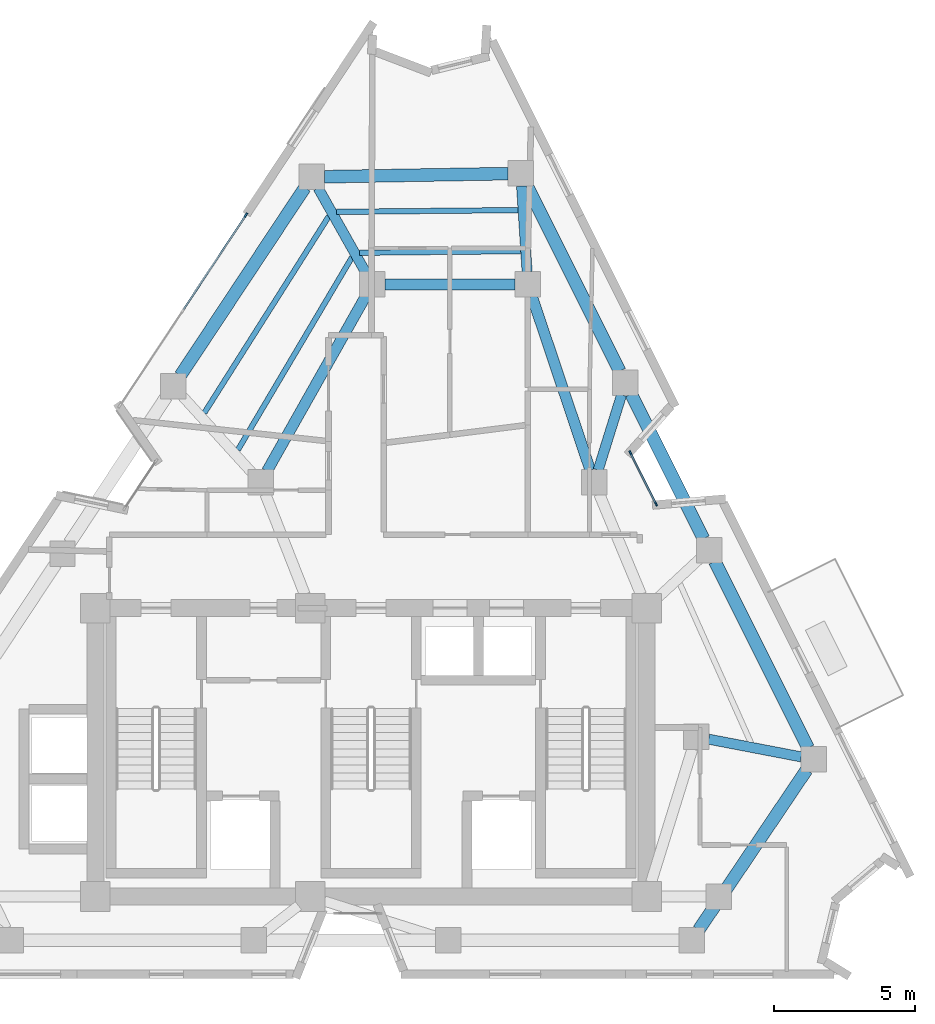
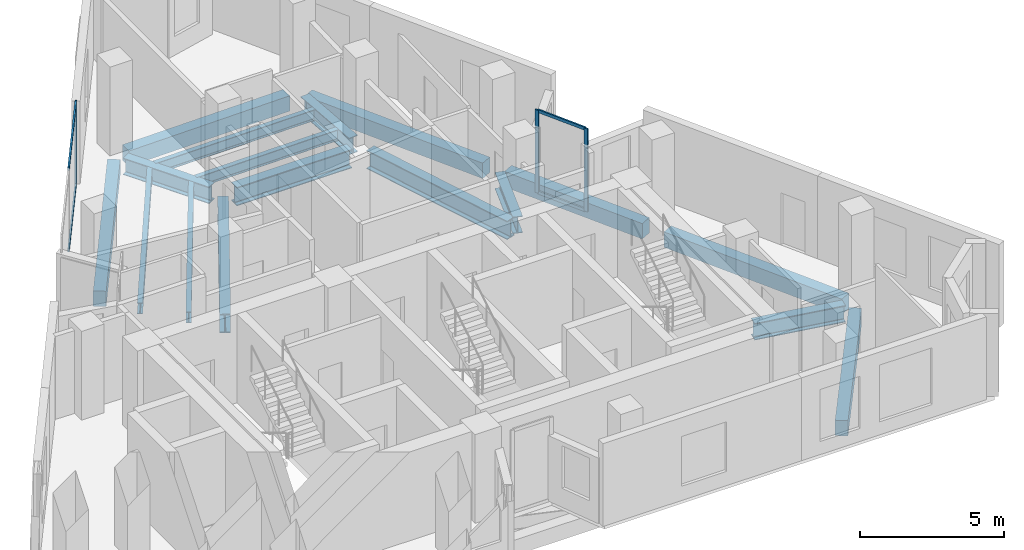
# One storey, part 3 of 9: 17 beams, 7 members, 2 elements without a shape of their own.
"""IFC4 building model written with IfcOpenShell, lengths in metres."""

from ifc_helpers import new_model, si_unit, direction, frame, origin, origin_2d, place, context, subcontext, project, spatial, rectangle, i_section, extrude, material, layer, layer_set, material_profile, profile_set, type_object, element, aggregate, save


model = new_model("IFC4")

# Units and contexts
model_context = context("Model", 3, precision=1e-05, world=origin(), true_north=direction((0.0, 1.0)))
body_context = subcontext(model_context, "Body", "Model", "MODEL_VIEW")
ifc_project = project(units=[si_unit("LENGTHUNIT", "METRE"), si_unit("AREAUNIT", "SQUARE_METRE"), si_unit("VOLUMEUNIT", "CUBIC_METRE"), si_unit("PLANEANGLEUNIT", "RADIAN"), si_unit("MASSUNIT", "GRAM", prefix="KILO")], contexts=[model_context])

# Site, building, storey
site_placement = place(None, origin())
site = spatial("IfcSite", under=ifc_project, at=site_placement, CompositionType="ELEMENT")
building_placement = place(site_placement, origin())
building = spatial("IfcBuilding", under=site, at=building_placement, Name="Almagre Mirador Tower", CompositionType="ELEMENT")
storey_placement = place(building_placement, frame((0.0, 0.0, 259.5)))
storey = spatial("IfcBuildingStorey", under=building, at=storey_placement, Name="L67", CompositionType="ELEMENT", Elevation=259.5)

# Beams
ifc_material_1 = material(Name="Steel ASTM A992 Grade 50", Category="steel")
ifc_material_profile_1 = material_profile(ifc_material_1, i_section(OverallWidth=0.19091796875, OverallDepth=0.4599609375, WebThickness=0.010009765625, FlangeThickness=0.01611328125, FilletRadius=0.01611328125, at=origin_2d()), Name="W18X55")
ifc_profile_set_1 = profile_set([ifc_material_profile_1], Name="Steel ASTM A992 Grade 50")
beam_type_1 = type_object("IfcBeamType", Name="BM-JST-W18X55", PredefinedType="JOIST", material=ifc_profile_set_1)
beam_1_placement = place(storey_placement, frame((42.501708984375, 28.8251953125, -0.47998046875), z_axis=(-0.999953288653, -0.009665428698, 0.0), x_axis=(0.009665428698, -0.999953288653, 0.0)))
element("IfcBeam", 1, at=beam_1_placement, inside=storey, type_object=beam_type_1, Name="L67 secondary floor joist PC08-PC09.1", PredefinedType="JOIST", context=body_context, shape_type="SweptSolid", body=[
    extrude(i_section(OverallWidth=0.19091796875, OverallDepth=0.4599609375, WebThickness=0.010009765625, FlangeThickness=0.01611328125, FilletRadius=0.01611328125, at=origin_2d()), origin(), (0.0, 0.0, 1.0), 6.415771484375),
])
beam_2_placement = place(storey_placement, frame((42.59521484375, 27.373291015625, -0.47998046875), z_axis=(-0.99995095938, -0.009903475888, 0.0), x_axis=(0.009903475888, -0.99995095938, 0.0)))
element("IfcBeam", 2, at=beam_2_placement, inside=storey, type_object=beam_type_1, Name="L67 secondary floor joist PC08-PC09.3", PredefinedType="JOIST", context=body_context, shape_type="SweptSolid", body=[
    extrude(i_section(OverallWidth=0.19091796875, OverallDepth=0.4599609375, WebThickness=0.010009765625, FlangeThickness=0.01611328125, FilletRadius=0.01611328125, at=origin_2d()), origin(), (0.0, 0.0, 1.0), 5.694580078125),
])
beam_3_placement = place(storey_placement, frame((35.811279296875, 28.610107421875, -0.47998046875), z_axis=(-0.534950539194, -0.844883376932, 0.0), x_axis=(0.844883376932, -0.534950539194, 0.0)))
element("IfcBeam", 3, at=beam_3_placement, inside=storey, type_object=beam_type_1, Name="L67 secondary floor joist PC09-PC10.1", PredefinedType="JOIST", context=body_context, shape_type="SweptSolid", body=[
    extrude(i_section(OverallWidth=0.19091796875, OverallDepth=0.4599609375, WebThickness=0.010009765625, FlangeThickness=0.01611328125, FilletRadius=0.01611328125, at=origin_2d()), origin(), (0.0, 0.0, 1.0), 8.2373046875),
])
beam_4_placement = place(storey_placement, frame((36.630615234375, 27.1611328125, -0.47998046875), z_axis=(-0.509571838607, -0.860428115126, 0.0), x_axis=(0.860428115126, -0.509571838607, 0.0)))
element("IfcBeam", 4, at=beam_4_placement, inside=storey, type_object=beam_type_1, Name="L67 secondary floor joist PC09-PC10.3", PredefinedType="JOIST", context=body_context, shape_type="SweptSolid", body=[
    extrude(i_section(OverallWidth=0.19091796875, OverallDepth=0.4599609375, WebThickness=0.010009765625, FlangeThickness=0.01611328125, FilletRadius=0.01611328125, at=origin_2d()), origin(), (0.0, 0.0, 1.0), 7.925048828125),
])
ifc_material_2 = material(Name="Precast concrete C50/60", Category="concrete")
ifc_material_profile_2 = material_profile(ifc_material_2, rectangle(XDim=0.449951171875, YDim=0.64990234375, at=origin_2d()), Name="RC450X650")
ifc_profile_set_2 = profile_set([ifc_material_profile_2], Name="Precast concrete C50/60")
beam_type_2 = type_object("IfcBeamType", Name="BM-SPN-RC450X650", PredefinedType="SPANDREL", material=ifc_profile_set_2)
beam_5_placement = place(storey_placement, frame((48.8916015625, 3.373046875, -0.574951171875), z_axis=(0.559011807763, 0.829159694378, 0.0), x_axis=(-0.829159694378, 0.559011807763, 0.0)))
element("IfcBeam", 5, at=beam_5_placement, inside=storey, type_object=beam_type_2, Name="L67 perimeter spandrel beam PC04-PC05", PredefinedType="SPANDREL", context=body_context, shape_type="SweptSolid", body=[
    extrude(rectangle(XDim=0.449951171875, YDim=0.64990234375, at=origin_2d()), origin(), (0.0, 0.0, 1.0), 6.822265625),
])
beam_6_placement = place(storey_placement, frame((52.755859375, 9.805419921875, -0.574951171875), z_axis=(-0.447226839749, 0.894420568753, 0.0), x_axis=(-0.894420568753, -0.447226839749, 0.0)))
element("IfcBeam", 6, at=beam_6_placement, inside=storey, type_object=beam_type_2, Name="L67 perimeter spandrel beam PC05-PC06", PredefinedType="SPANDREL", context=body_context, shape_type="SweptSolid", body=[
    extrude(rectangle(XDim=0.449951171875, YDim=0.64990234375, at=origin_2d()), origin(), (0.0, 0.0, 1.0), 7.37353515625),
])
beam_7_placement = place(storey_placement, frame((49.055908203125, 17.20556640625, -0.574951171875), z_axis=(-0.447230671809, 0.894418652642, 0.0), x_axis=(-0.894418652642, -0.447230671809, 0.0)))
element("IfcBeam", 7, at=beam_7_placement, inside=storey, type_object=beam_type_2, Name="L67 perimeter spandrel beam PC06-PC07", PredefinedType="SPANDREL", context=body_context, shape_type="SweptSolid", body=[
    extrude(rectangle(XDim=0.449951171875, YDim=0.64990234375, at=origin_2d()), origin(), (0.0, 0.0, 1.0), 5.71875),
])
beam_8_placement = place(storey_placement, frame((46.095703125, 23.12548828125, -0.574951171875), z_axis=(-0.447226839749, 0.894420568753, 0.0), x_axis=(-0.894420568753, -0.447226839749, 0.0)))
element("IfcBeam", 8, at=beam_8_placement, inside=storey, type_object=beam_type_2, Name="L67 perimeter spandrel beam PC07-PC08", PredefinedType="SPANDREL", context=body_context, shape_type="SweptSolid", body=[
    extrude(rectangle(XDim=0.449951171875, YDim=0.64990234375, at=origin_2d()), origin(), (0.0, 0.0, 1.0), 7.37353515625),
])
beam_9_placement = place(storey_placement, frame((42.147216796875, 30.115234375, -0.574951171875), z_axis=(-0.999854670426, -0.017048109218, 0.0), x_axis=(0.017048109218, -0.999854670426, 0.0)))
element("IfcBeam", 9, at=beam_9_placement, inside=storey, type_object=beam_type_2, Name="L67 perimeter spandrel beam PC08-PC09", PredefinedType="SPANDREL", context=body_context, shape_type="SweptSolid", body=[
    extrude(rectangle(XDim=0.449951171875, YDim=0.64990234375, at=origin_2d()), origin(), (0.0, 0.0, 1.0), 6.4873046875),
])
beam_10_placement = place(storey_placement, frame((34.962646484375, 29.621826171875, -0.574951171875), z_axis=(-0.55211200974, -0.833769949507, 0.0), x_axis=(0.833769949507, -0.55211200974, 0.0)))
element("IfcBeam", 10, at=beam_10_placement, inside=storey, type_object=beam_type_2, Name="L67 perimeter spandrel beam PC09-PC10", PredefinedType="SPANDREL", context=body_context, shape_type="SweptSolid", body=[
    extrude(rectangle(XDim=0.449951171875, YDim=0.64990234375, at=origin_2d()), origin(), (0.0, 0.0, 1.0), 7.975341796875),
])
ifc_material_3 = material(Name="Steel ASTM A992 Grade 50", Category="steel")
ifc_material_profile_3 = material_profile(ifc_material_3, i_section(OverallWidth=0.35791015625, OverallDepth=0.7060546875, WebThickness=0.018310546875, FlangeThickness=0.0302734375, FilletRadius=0.02197265625, at=origin_2d()), Name="W27X178")
ifc_profile_set_3 = profile_set([ifc_material_profile_3], Name="Steel ASTM A992 Grade 50")
beam_type_3 = type_object("IfcBeamType", Name="BM-STL-W27X178", PredefinedType="BEAM", material=ifc_profile_set_3)
beam_11_placement = place(storey_placement, frame((52.514892578125, 9.48779296875, -0.60302734375), z_axis=(-0.982116013596, 0.188276753315, 0.0), x_axis=(-0.188276753315, -0.982116013596, 0.0)))
element("IfcBeam", 11, at=beam_11_placement, inside=storey, type_object=beam_type_3, Name="L67 radial floor girder PC05-MC3", PredefinedType="BEAM", context=body_context, shape_type="SweptSolid", body=[
    extrude(i_section(OverallWidth=0.35791015625, OverallDepth=0.7060546875, WebThickness=0.018310546875, FlangeThickness=0.0302734375, FilletRadius=0.02197265625, at=origin_2d()), origin(), (0.0, 0.0, 1.0), 3.33251953125),
])
beam_12_placement = place(storey_placement, frame((46.1630859375, 22.293212890625, -0.60302734375), z_axis=(-0.297288188683, -0.95478779468, 0.0), x_axis=(0.95478779468, -0.297288188683, 0.0)))
element("IfcBeam", 12, at=beam_12_placement, inside=storey, type_object=beam_type_3, Name="L67 radial floor girder PC07-MC5", PredefinedType="BEAM", context=body_context, shape_type="SweptSolid", body=[
    extrude(i_section(OverallWidth=0.35791015625, OverallDepth=0.7060546875, WebThickness=0.018310546875, FlangeThickness=0.0302734375, FilletRadius=0.02197265625, at=origin_2d()), origin(), (0.0, 0.0, 1.0), 2.789794921875),
])
beam_13_placement = place(storey_placement, frame((42.6259765625, 29.673828125, -0.60302734375), z_axis=(0.064358989598, -0.997926811173, 0.0), x_axis=(0.997926811173, 0.064358989598, 0.0)))
element("IfcBeam", 13, at=beam_13_placement, inside=storey, type_object=beam_type_3, Name="L67 radial floor girder PC08-MC6", PredefinedType="BEAM", context=body_context, shape_type="SweptSolid", body=[
    extrude(i_section(OverallWidth=0.35791015625, OverallDepth=0.7060546875, WebThickness=0.018310546875, FlangeThickness=0.0302734375, FilletRadius=0.02197265625, at=origin_2d()), origin(), (0.0, 0.0, 1.0), 3.031005859375),
])
beam_14_placement = place(storey_placement, frame((35.431884765625, 29.60498046875, -0.60302734375), z_axis=(0.490807503583, -0.871268038222, 0.0), x_axis=(0.871268038222, 0.490807503583, 0.0)))
element("IfcBeam", 14, at=beam_14_placement, inside=storey, type_object=beam_type_3, Name="L67 radial floor girder PC09-MC7", PredefinedType="BEAM", context=body_context, shape_type="SweptSolid", body=[
    extrude(i_section(OverallWidth=0.35791015625, OverallDepth=0.7060546875, WebThickness=0.018310546875, FlangeThickness=0.0302734375, FilletRadius=0.02197265625, at=origin_2d()), origin(), (0.0, 0.0, 1.0), 3.4580078125),
])
ifc_material_4 = material(Name="Steel ASTM A992 Grade 50", Category="steel")
ifc_material_profile_4 = material_profile(ifc_material_4, i_section(OverallWidth=0.384033203125, OverallDepth=0.784912109375, WebThickness=0.019775390625, FlangeThickness=0.033447265625, FilletRadius=0.02392578125, at=origin_2d()), Name="W30X211")
ifc_profile_set_4 = profile_set([ifc_material_profile_4], Name="Steel ASTM A992 Grade 50")
beam_type_4 = type_object("IfcBeamType", Name="BM-STL-W30X211", PredefinedType="BEAM", material=ifc_profile_set_4)
beam_15_placement = place(storey_placement, frame((37.800048828125, 26.199951171875, -0.642578125), z_axis=(1.0, 0.0, 0.0), x_axis=(0.0, 1.0, 0.0)))
element("IfcBeam", 15, at=beam_15_placement, inside=storey, type_object=beam_type_4, Name="L67 core tie girder MC7-MC6", PredefinedType="BEAM", context=body_context, shape_type="SweptSolid", body=[
    extrude(i_section(OverallWidth=0.384033203125, OverallDepth=0.784912109375, WebThickness=0.019775390625, FlangeThickness=0.033447265625, FilletRadius=0.02392578125, at=origin_2d()), origin(), (0.0, 0.0, 1.0), 4.599853515625),
])
beam_16_placement = place(storey_placement, frame((42.9931640625, 25.7734375, -0.642578125), z_axis=(0.318282890726, -0.947995781357, 0.0), x_axis=(0.947995781357, 0.318282890726, 0.0)))
element("IfcBeam", 16, at=beam_16_placement, inside=storey, type_object=beam_type_4, Name="L67 core tie girder MC6-MC5", PredefinedType="BEAM", context=body_context, shape_type="SweptSolid", body=[
    extrude(i_section(OverallWidth=0.384033203125, OverallDepth=0.784912109375, WebThickness=0.019775390625, FlangeThickness=0.033447265625, FilletRadius=0.02392578125, at=origin_2d()), origin(), (0.0, 0.0, 1.0), 6.48388671875),
])
beam_17_placement = place(storey_placement, frame((37.12890625, 25.80810546875, -0.642578125), z_axis=(-0.491446261843, -0.870907900825, 0.0), x_axis=(0.870907900825, -0.491446261843, 0.0)))
element("IfcBeam", 17, at=beam_17_placement, inside=storey, type_object=beam_type_4, Name="L67 core tie girder MC7-MC8", PredefinedType="BEAM", context=body_context, shape_type="SweptSolid", body=[
    extrude(i_section(OverallWidth=0.384033203125, OverallDepth=0.784912109375, WebThickness=0.019775390625, FlangeThickness=0.033447265625, FilletRadius=0.02392578125, at=origin_2d()), origin(), (0.0, 0.0, 1.0), 7.1376953125),
])

# Curtain wall, members
ifc_material_5 = material(Name="Black anodized aluminium", Category="aluminium")
ifc_layer_1 = layer(ifc_material_5, 0.169921875)
ifc_layer_set_1 = layer_set([ifc_layer_1], Name="Black anodized aluminium")
curtain_wall_type_1 = type_object("IfcCurtainWallType", Name="CW-CRS-SYS", PredefinedType="NOTDEFINED", material=ifc_layer_set_1)
curtain_wall_1_placement = place(storey_placement, origin())
curtain_wall_1 = element("IfcCurtainWall", 18, at=curtain_wall_1_placement, inside=storey, type_object=curtain_wall_type_1, Name="L67 vertical crease curtain wall 03", PredefinedType="NOTDEFINED")
ifc_material_6 = material(Name="Black anodized aluminium", Category="aluminium")
ifc_material_profile_5 = material_profile(ifc_material_6, rectangle(XDim=0.06005859375, YDim=0.14990234375, at=origin_2d()), Name="CWM60X150")
ifc_profile_set_5 = profile_set([ifc_material_profile_5], Name="Black anodized aluminium")
member_type_1 = type_object("IfcMemberType", Name="MBR-CWM60X150", PredefinedType="MULLION", material=ifc_profile_set_5)
member_1_placement = place(storey_placement, frame((46.473388671875, 20.24609375, 0.0), z_axis=(0.0, 0.0, 1.0), x_axis=(0.894522892596, 0.447022141087, 0.0)))
member_1 = element("IfcMember", 19, at=member_1_placement, type_object=member_type_1, Name="CW-4 mullion 1", PredefinedType="MULLION", context=body_context, shape_type="SweptSolid", body=[
    extrude(rectangle(XDim=0.06005859375, YDim=0.14990234375, at=origin_2d()), origin(), (0.0, 0.0, 1.0), 3.5),
])
member_2_placement = place(storey_placement, frame((47.380615234375, 18.430908203125, 0.0), z_axis=(0.0, 0.0, 1.0), x_axis=(0.894522892596, 0.447022141087, 0.0)))
member_2 = element("IfcMember", 20, at=member_2_placement, type_object=member_type_1, Name="CW-4 mullion 2", PredefinedType="MULLION", context=body_context, shape_type="SweptSolid", body=[
    extrude(rectangle(XDim=0.06005859375, YDim=0.14990234375, at=origin_2d()), origin(), (0.0, 0.0, 1.0), 3.5),
])

# Curtain wall, member
ifc_material_7 = material(Name="Black anodized aluminium", Category="aluminium")
ifc_layer_2 = layer(ifc_material_7, 0.199951171875)
ifc_layer_set_2 = layer_set([ifc_layer_2], Name="Black anodized aluminium")
curtain_wall_type_2 = type_object("IfcCurtainWallType", Name="CW-RES-H-SYS", PredefinedType="NOTDEFINED", material=ifc_layer_set_2)
curtain_wall_2_placement = place(storey_placement, origin())
curtain_wall_2 = element("IfcCurtainWall", 21, at=curtain_wall_2_placement, inside=storey, type_object=curtain_wall_type_2, Name="L67 curtain wall run 02", PredefinedType="NOTDEFINED")
ifc_material_8 = material(Name="Black anodized aluminium", Category="aluminium")
ifc_material_profile_6 = material_profile(ifc_material_8, rectangle(XDim=0.06494140625, YDim=0.179931640625, at=origin_2d()), Name="CWM65X180")
ifc_profile_set_6 = profile_set([ifc_material_profile_6], Name="Black anodized aluminium")
member_type_2 = type_object("IfcMemberType", Name="MBR-CWM65X180", PredefinedType="MULLION", material=ifc_profile_set_6)
member_3_placement = place(storey_placement, frame((32.87744140625, 28.6474609375, 0.0), z_axis=(0.0, 0.0, 1.0), x_axis=(-0.833774696513, 0.552104840999, 0.0)))
member_3 = element("IfcMember", 22, at=member_3_placement, type_object=member_type_2, Name="CW-3 mullion 3", PredefinedType="MULLION", context=body_context, shape_type="SweptSolid", body=[
    extrude(rectangle(XDim=0.06494140625, YDim=0.179931640625, at=origin_2d()), origin(), (0.0, 0.0, 1.0), 3.5),
])

# Member
ifc_material_9 = material(Name="Black anodized aluminium", Category="aluminium")
ifc_material_profile_7 = material_profile(ifc_material_9, rectangle(XDim=0.06005859375, YDim=0.1298828125, at=origin_2d()), Name="CWT60X130")
ifc_profile_set_7 = profile_set([ifc_material_profile_7], Name="Black anodized aluminium")
member_type_3 = type_object("IfcMemberType", Name="MBR-CWT60X130", PredefinedType="USERDEFINED", material=ifc_profile_set_7)
member_4_placement = place(storey_placement, frame((46.48681640625, 20.21923828125, 0.030029296875), z_axis=(0.447064815664, -0.894501565451, 0.0), x_axis=(0.894501565451, 0.447064815664, 0.0)))
member_4 = element("IfcMember", 23, at=member_4_placement, type_object=member_type_3, Name="CW-4 transom 1.1", ObjectType="TRANSOM", PredefinedType="USERDEFINED", context=body_context, shape_type="SweptSolid", body=[
    extrude(rectangle(XDim=0.06005859375, YDim=0.1298828125, at=origin_2d()), origin(), (0.0, 0.0, 1.0), 1.96923828125),
])

member_5_placement = place(storey_placement, frame((46.48681640625, 20.21923828125, 3.469970703125), z_axis=(0.447064815664, -0.894501565451, 0.0), x_axis=(0.894501565451, 0.447064815664, 0.0)))
member_5 = element("IfcMember", 24, at=member_5_placement, type_object=member_type_3, Name="CW-4 transom 1.2", ObjectType="TRANSOM", PredefinedType="USERDEFINED", context=body_context, shape_type="SweptSolid", body=[
    extrude(rectangle(XDim=0.06005859375, YDim=0.1298828125, at=origin_2d()), origin(), (0.0, 0.0, 1.0), 1.96923828125),
])

aggregate(curtain_wall_1, [member_1, member_2, member_4, member_5])

ifc_material_10 = material(Name="Black anodized aluminium", Category="aluminium")
ifc_material_profile_8 = material_profile(ifc_material_10, rectangle(XDim=0.06494140625, YDim=0.14990234375, at=origin_2d()), Name="CWT65X150")
ifc_profile_set_8 = profile_set([ifc_material_profile_8], Name="Black anodized aluminium")
member_type_4 = type_object("IfcMemberType", Name="MBR-CWT65X150", PredefinedType="USERDEFINED", material=ifc_profile_set_8)
member_6_placement = place(storey_placement, frame((30.665283203125, 25.306396484375, 0.032470703125), z_axis=(0.55208926448, 0.833785010687, 0.0), x_axis=(-0.833785010687, 0.55208926448, 0.0)))
member_6 = element("IfcMember", 25, at=member_6_placement, type_object=member_type_4, Name="CW-3 transom 2.1", ObjectType="TRANSOM", PredefinedType="USERDEFINED", context=body_context, shape_type="SweptSolid", body=[
    extrude(rectangle(XDim=0.06494140625, YDim=0.14990234375, at=origin_2d()), origin(), (0.0, 0.0, 1.0), 3.974609375),
])

member_7_placement = place(storey_placement, frame((30.665283203125, 25.306396484375, 3.467529296875), z_axis=(0.55208926448, 0.833785010687, 0.0), x_axis=(-0.833785010687, 0.55208926448, 0.0)))
member_7 = element("IfcMember", 26, at=member_7_placement, type_object=member_type_4, Name="CW-3 transom 2.2", ObjectType="TRANSOM", PredefinedType="USERDEFINED", context=body_context, shape_type="SweptSolid", body=[
    extrude(rectangle(XDim=0.06494140625, YDim=0.14990234375, at=origin_2d()), origin(), (0.0, 0.0, 1.0), 3.974609375),
])

aggregate(curtain_wall_2, [member_3, member_6, member_7])

save(model, "model.ifc")
